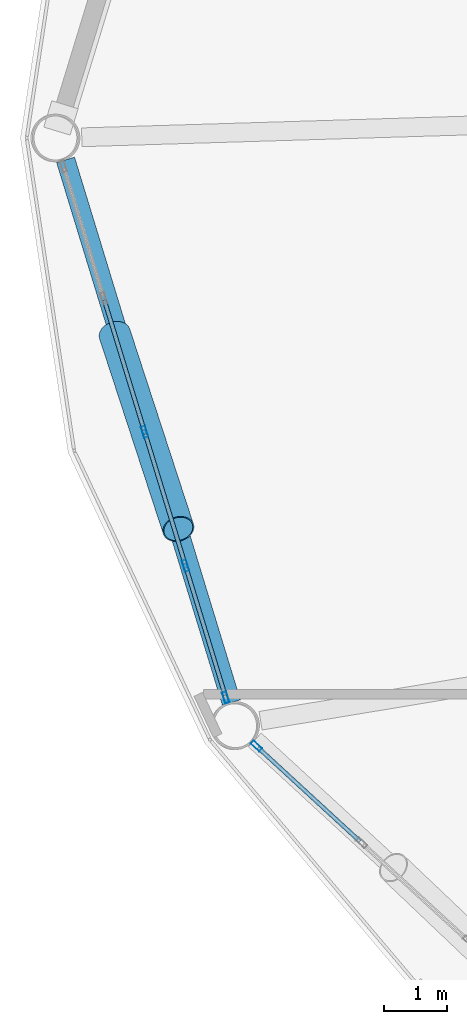
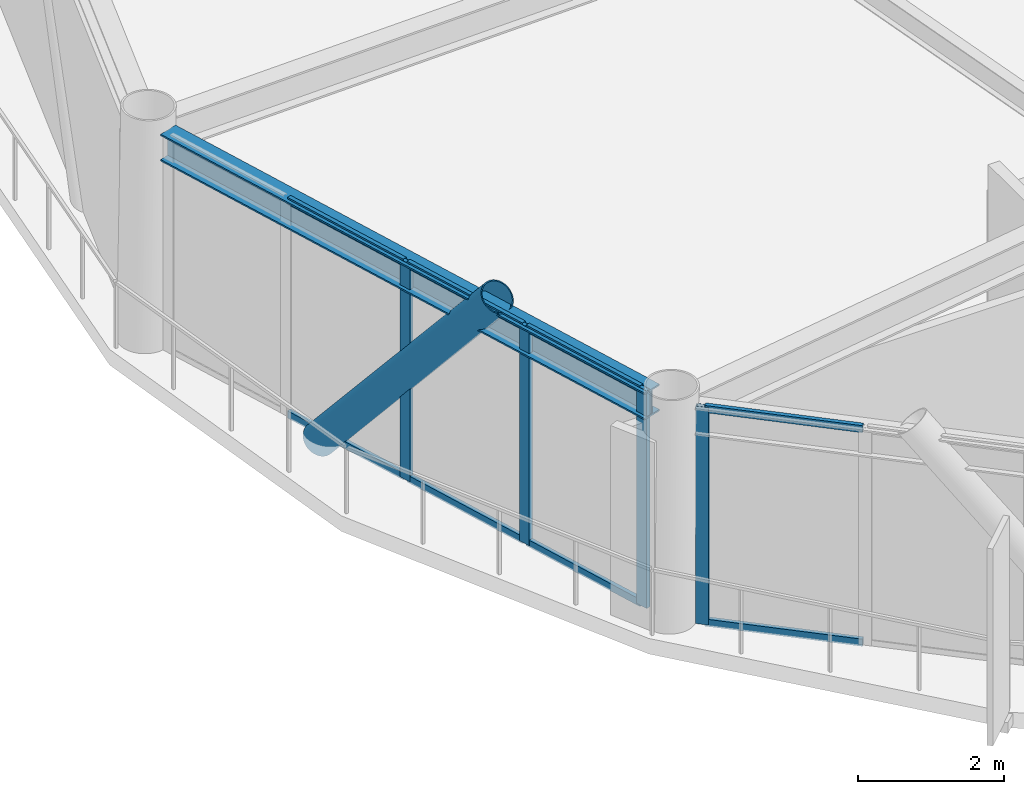
# One storey, part 5 of 24: 13 members, 1 beam, 2 elements without a shape of their own.
"""IFC4 building model written with IfcOpenShell, lengths in metres."""

from ifc_helpers import new_model, si_unit, direction, frame, origin, origin_2d, place, context, subcontext, project, spatial, hollow_rectangle, hollow_circle, i_section, extrude, material, layer, layer_set, material_profile, profile_set, type_object, element, aggregate, save


model = new_model("IFC4")

# Units and contexts
model_context = context("Model", 3, precision=1e-05, world=origin(), true_north=direction((0.0, 1.0)))
body_context = subcontext(model_context, "Body", "Model", "MODEL_VIEW")
ifc_project = project(units=[si_unit("LENGTHUNIT", "METRE"), si_unit("AREAUNIT", "SQUARE_METRE"), si_unit("VOLUMEUNIT", "CUBIC_METRE"), si_unit("PLANEANGLEUNIT", "RADIAN"), si_unit("MASSUNIT", "GRAM", prefix="KILO")], contexts=[model_context])

# Site, building, storey
site_placement = place(None, origin())
site = spatial("IfcSite", under=ifc_project, at=site_placement, CompositionType="ELEMENT")
building_placement = place(site_placement, origin())
building = spatial("IfcBuilding", under=site, at=building_placement, Name="Varnakorn Sky Granary", CompositionType="ELEMENT")
storey_placement = place(building_placement, frame((0.0, 0.0, 161.699951171875)))
storey = spatial("IfcBuildingStorey", under=building, at=storey_placement, Name="L40", CompositionType="ELEMENT", Elevation=161.699951171875)

# Beam
ifc_material_1 = material(Name="Steel S355JR", Category="steel")
ifc_material_profile_1 = material_profile(ifc_material_1, i_section(OverallWidth=0.300048828125, OverallDepth=0.449951171875, WebThickness=0.013916015625, FlangeThickness=0.02587890625, at=origin_2d()), Name="HE 450 B")
ifc_profile_set_1 = profile_set([ifc_material_profile_1], Name="Steel S355JR")
beam_type = type_object("IfcBeamType", Name="BM-SPD-Z3", PredefinedType="SPANDREL", material=ifc_profile_set_1)
beam_placement = place(storey_placement, frame((-21.91015625, -0.35009765625, 3.4150390625), z_axis=(0.292138588412, -0.956375995705, 0.0), x_axis=(0.956375995705, 0.292138588412, 0.0)))
element("IfcBeam", 1, at=beam_placement, inside=storey, type_object=beam_type, Name="Perimeter Spandrel Ring Beam RB07 L40", PredefinedType="SPANDREL", context=body_context, shape_type="SweptSolid", body=[
    extrude(i_section(OverallWidth=0.300048828125, OverallDepth=0.449951171875, WebThickness=0.013916015625, FlangeThickness=0.02587890625, at=origin_2d()), origin(), (0.0, 0.0, 1.0), 9.077392578125),
])

# Curtain wall, members
ifc_material_2 = material(Name="Anodised Bronze Aluminium Alloy 6063-T6", Category="aluminium")
ifc_layer = layer(ifc_material_2, 0.179931640625, Name="Anodised Bronze Aluminium Alloy 6063-T6")
ifc_layer_set = layer_set([ifc_layer], Name="Anodised Bronze Aluminium Alloy 6063-T6")
curtain_wall_type = type_object("IfcCurtainWallType", Name="CW-FRM-2", PredefinedType="USERDEFINED", material=ifc_layer_set)
curtain_wall_1_placement = place(storey_placement, origin())
curtain_wall_1 = element("IfcCurtainWall", 2, at=curtain_wall_1_placement, inside=storey, type_object=curtain_wall_type, Name="Unitised Curtain Wall CW4 CW-L40-B07", ObjectType="CURTAIN WALL", PredefinedType="USERDEFINED")
ifc_material_profile_2 = material_profile(ifc_material_2, hollow_rectangle(XDim=0.070068359375, YDim=0.18505859375, WallThickness=0.00390625, at=origin_2d()), Name="ALU MULL 70x185")
ifc_profile_set_2 = profile_set([ifc_material_profile_2], Name="Anodised Bronze Aluminium Alloy 6063-T6")
member_type_1 = type_object("IfcMemberType", Name="CW-FRM-2-MULL", PredefinedType="MULLION", material=ifc_profile_set_2)
member_1_placement = place(storey_placement, frame((-19.34765625, -8.94970703125, 0.0), z_axis=(0.0, 0.0, 1.0), x_axis=(-0.956331104818, -0.292285507608, 0.0)))
member_1 = element("IfcMember", 3, at=member_1_placement, type_object=member_type_1, Name="CW4 mullion 1", PredefinedType="MULLION", context=body_context, shape_type="SweptSolid", body=[
    extrude(hollow_rectangle(XDim=0.070068359375, YDim=0.18505859375, WallThickness=0.00390625, at=origin_2d()), origin(), (0.0, 0.0, 1.0), 3.64013671875),
])
member_2_placement = place(storey_placement, frame((-19.991455078125, -6.843017578125, 0.0), z_axis=(0.0, 0.0, 1.0), x_axis=(-0.956331104818, -0.292285507608, 0.0)))
member_2 = element("IfcMember", 4, at=member_2_placement, type_object=member_type_1, Name="CW4 mullion 2", PredefinedType="MULLION", context=body_context, shape_type="SweptSolid", body=[
    extrude(hollow_rectangle(XDim=0.070068359375, YDim=0.18505859375, WallThickness=0.00390625, at=origin_2d()), origin(), (0.0, 0.0, 1.0), 3.64013671875),
])
member_3_placement = place(storey_placement, frame((-20.645751953125, -4.702392578125, 0.0), z_axis=(0.0, 0.0, 1.0), x_axis=(-0.956331104818, -0.292285507608, 0.0)))
member_3 = element("IfcMember", 5, at=member_3_placement, type_object=member_type_1, Name="CW4 mullion 3", PredefinedType="MULLION", context=body_context, shape_type="SweptSolid", body=[
    extrude(hollow_rectangle(XDim=0.070068359375, YDim=0.18505859375, WallThickness=0.00390625, at=origin_2d()), origin(), (0.0, 0.0, 1.0), 3.64013671875),
])

# Curtain wall, member
curtain_wall_2_placement = place(storey_placement, origin())
curtain_wall_2 = element("IfcCurtainWall", 6, at=curtain_wall_2_placement, inside=storey, type_object=curtain_wall_type, Name="Unitised Curtain Wall CW4 CW-L40-B08", ObjectType="CURTAIN WALL", PredefinedType="USERDEFINED")
member_4_placement = place(storey_placement, frame((-18.858154296875, -9.727294921875, 0.0), z_axis=(0.0, 0.0, 1.0), x_axis=(-0.677011277308, -0.735972642425, 0.0)))
member_4 = element("IfcMember", 7, at=member_4_placement, type_object=member_type_1, Name="CW4 mullion 5", PredefinedType="MULLION", context=body_context, shape_type="SweptSolid", body=[
    extrude(hollow_rectangle(XDim=0.070068359375, YDim=0.18505859375, WallThickness=0.00390625, at=origin_2d()), origin(), (0.0, 0.0, 1.0), 3.64013671875),
])

# Member
ifc_material_profile_3 = material_profile(ifc_material_2, hollow_rectangle(XDim=0.06494140625, YDim=0.1201171875, WallThickness=0.00341796875, at=origin_2d()), Name="ALU TRAN 65x120")
ifc_profile_set_3 = profile_set([ifc_material_profile_3], Name="Anodised Bronze Aluminium Alloy 6063-T6")
member_type_2 = type_object("IfcMemberType", Name="CW-FRM-2-TRAN", PredefinedType="USERDEFINED", material=ifc_profile_set_3)
member_5_placement = place(storey_placement, frame((-19.35791015625, -8.916259765625, 0.032470703125), z_axis=(-0.292331943881, 0.956316911168, 0.0), x_axis=(-0.956316911168, -0.292331943881, 0.0)))
member_5 = element("IfcMember", 8, at=member_5_placement, type_object=member_type_2, Name="CW4 transom 1.1", ObjectType="TRANSOM", PredefinedType="USERDEFINED", context=body_context, shape_type="SweptSolid", body=[
    extrude(hollow_rectangle(XDim=0.06494140625, YDim=0.1201171875, WallThickness=0.00341796875, at=origin_2d()), origin(), (0.0, 0.0, 1.0), 2.133056640625),
])

member_6_placement = place(storey_placement, frame((-19.35791015625, -8.916259765625, 3.607666015625), z_axis=(-0.292331943881, 0.956316911168, 0.0), x_axis=(-0.956316911168, -0.292331943881, 0.0)))
member_6 = element("IfcMember", 9, at=member_6_placement, type_object=member_type_2, Name="CW4 transom 1.2", ObjectType="TRANSOM", PredefinedType="USERDEFINED", context=body_context, shape_type="SweptSolid", body=[
    extrude(hollow_rectangle(XDim=0.06494140625, YDim=0.1201171875, WallThickness=0.00341796875, at=origin_2d()), origin(), (0.0, 0.0, 1.0), 2.133056640625),
])

member_7_placement = place(storey_placement, frame((-20.001708984375, -6.809326171875, 0.032470703125), z_axis=(-0.292344418491, 0.956313097776, 0.0), x_axis=(-0.956313097776, -0.292344418491, 0.0)))
member_7 = element("IfcMember", 10, at=member_7_placement, type_object=member_type_2, Name="CW4 transom 2.1", ObjectType="TRANSOM", PredefinedType="USERDEFINED", context=body_context, shape_type="SweptSolid", body=[
    extrude(hollow_rectangle(XDim=0.06494140625, YDim=0.1201171875, WallThickness=0.00341796875, at=origin_2d()), origin(), (0.0, 0.0, 1.0), 2.16796875),
])

member_8_placement = place(storey_placement, frame((-20.001708984375, -6.809326171875, 3.607666015625), z_axis=(-0.292344418491, 0.956313097776, 0.0), x_axis=(-0.956313097776, -0.292344418491, 0.0)))
member_8 = element("IfcMember", 11, at=member_8_placement, type_object=member_type_2, Name="CW4 transom 2.2", ObjectType="TRANSOM", PredefinedType="USERDEFINED", context=body_context, shape_type="SweptSolid", body=[
    extrude(hollow_rectangle(XDim=0.06494140625, YDim=0.1201171875, WallThickness=0.00341796875, at=origin_2d()), origin(), (0.0, 0.0, 1.0), 2.16796875),
])

member_9_placement = place(storey_placement, frame((-20.656005859375, -4.6689453125, 0.032470703125), z_axis=(-0.292312938076, 0.956322720756, 0.0), x_axis=(-0.956322720756, -0.292312938076, 0.0)))
member_9 = element("IfcMember", 12, at=member_9_placement, type_object=member_type_2, Name="CW4 transom 3.1", ObjectType="TRANSOM", PredefinedType="USERDEFINED", context=body_context, shape_type="SweptSolid", body=[
    extrude(hollow_rectangle(XDim=0.06494140625, YDim=0.1201171875, WallThickness=0.00341796875, at=origin_2d()), origin(), (0.0, 0.0, 1.0), 2.168212890625),
])

member_10_placement = place(storey_placement, frame((-20.656005859375, -4.6689453125, 3.607666015625), z_axis=(-0.292312938076, 0.956322720756, 0.0), x_axis=(-0.956322720756, -0.292312938076, 0.0)))
member_10 = element("IfcMember", 13, at=member_10_placement, type_object=member_type_2, Name="CW4 transom 3.2", ObjectType="TRANSOM", PredefinedType="USERDEFINED", context=body_context, shape_type="SweptSolid", body=[
    extrude(hollow_rectangle(XDim=0.06494140625, YDim=0.1201171875, WallThickness=0.00341796875, at=origin_2d()), origin(), (0.0, 0.0, 1.0), 2.168212890625),
])

aggregate(curtain_wall_1, [member_1, member_2, member_3, member_5, member_6, member_7, member_8, member_9, member_10])

member_11_placement = place(storey_placement, frame((-17.200927734375, -11.251708984375, 0.032470703125), z_axis=(-0.735955158094, 0.677030283868, 0.0), x_axis=(-0.677030283868, -0.735955158094, 0.0)))
member_11 = element("IfcMember", 14, at=member_11_placement, type_object=member_type_2, Name="CW4 transom 4.1", ObjectType="TRANSOM", PredefinedType="USERDEFINED", context=body_context, shape_type="SweptSolid", body=[
    extrude(hollow_rectangle(XDim=0.06494140625, YDim=0.1201171875, WallThickness=0.00341796875, at=origin_2d()), origin(), (0.0, 0.0, 1.0), 2.216552734375),
])

member_12_placement = place(storey_placement, frame((-17.200927734375, -11.251708984375, 3.607666015625), z_axis=(-0.735955158094, 0.677030283868, 0.0), x_axis=(-0.677030283868, -0.735955158094, 0.0)))
member_12 = element("IfcMember", 15, at=member_12_placement, type_object=member_type_2, Name="CW4 transom 4.2", ObjectType="TRANSOM", PredefinedType="USERDEFINED", context=body_context, shape_type="SweptSolid", body=[
    extrude(hollow_rectangle(XDim=0.06494140625, YDim=0.1201171875, WallThickness=0.00341796875, at=origin_2d()), origin(), (0.0, 0.0, 1.0), 2.216552734375),
])

aggregate(curtain_wall_2, [member_4, member_11, member_12])

ifc_material_3 = material(Name="Steel S460M", Category="steel")
ifc_material_profile_4 = material_profile(ifc_material_3, hollow_circle(Radius=0.25390625, WallThickness=0.01806640625, at=origin_2d()), Name="CHS 508x18")
ifc_profile_set_4 = profile_set([ifc_material_profile_4], Name="Steel S460M")
member_type_3 = type_object("IfcMemberType", Name="MB-DIAG-T2", PredefinedType="BRACE", material=ifc_profile_set_4)
member_13_placement = place(storey_placement, frame((-21.124755859375, -3.135009765625, -0.1298828125), z_axis=(0.199197127633, -0.610199400568, 0.766796710927), x_axis=(0.950629199496, 0.310329059333, 0.0)))
element("IfcMember", 16, at=member_13_placement, inside=storey, type_object=member_type_3, Name="Perimeter CHS Diagrid Brace DG07 L40", PredefinedType="BRACE", context=body_context, shape_type="SweptSolid", body=[
    extrude(hollow_circle(Radius=0.25390625, WallThickness=0.01806640625, at=origin_2d()), origin(), (0.0, 0.0, 1.0), 5.112060546875),
])

save(model, "model.ifc")
